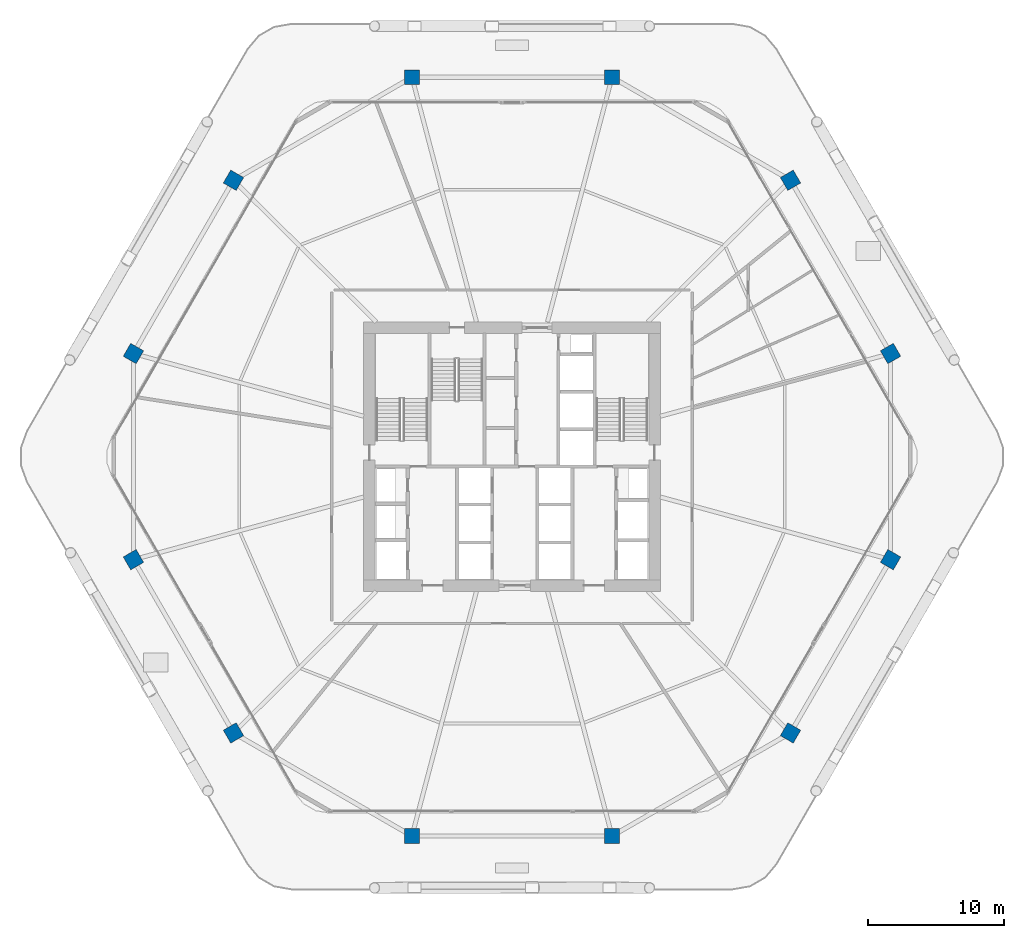
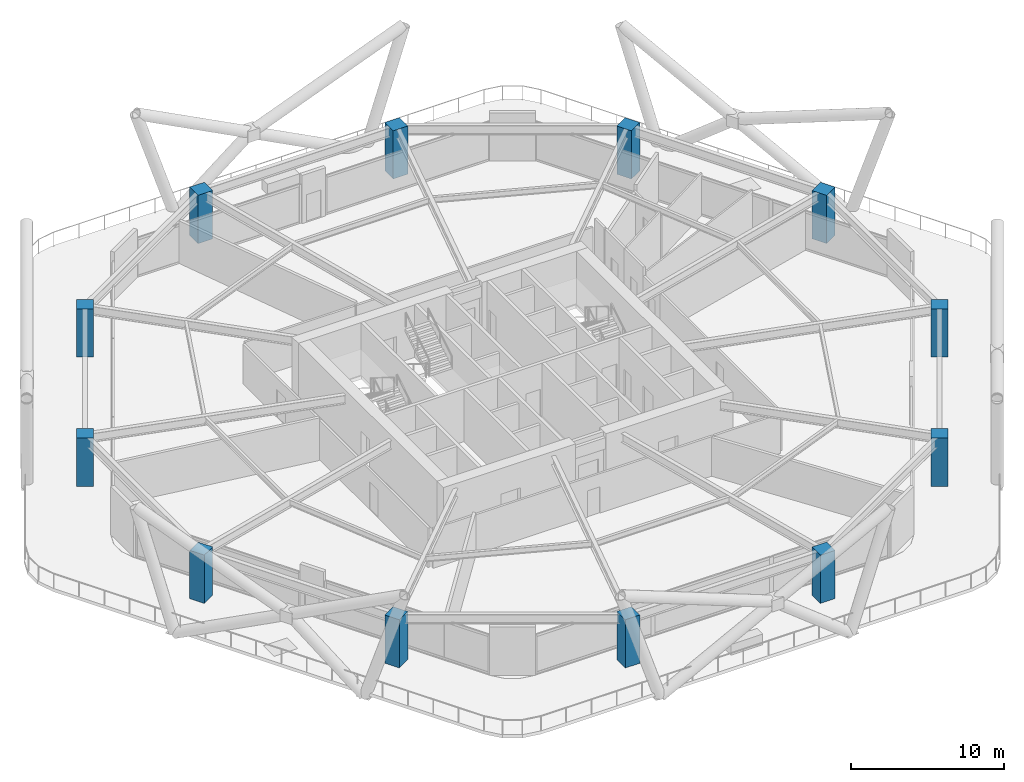
# One storey, part 1 of 28: 12 columns.
"""IFC4 building model written with IfcOpenShell, lengths in metres."""

from ifc_helpers import new_model, si_unit, direction, frame, origin, origin_2d, place, context, subcontext, project, spatial, rectangle, extrude, material, material_profile, profile_set, type_object, element, save


model = new_model("IFC4")

# Units and contexts
model_context = context("Model", 3, precision=1e-05, world=origin(), true_north=direction((0.0, 1.0)))
body_context = subcontext(model_context, "Body", "Model", "MODEL_VIEW")
ifc_project = project(units=[si_unit("LENGTHUNIT", "METRE"), si_unit("AREAUNIT", "SQUARE_METRE"), si_unit("VOLUMEUNIT", "CUBIC_METRE"), si_unit("PLANEANGLEUNIT", "RADIAN"), si_unit("MASSUNIT", "GRAM", prefix="KILO")], contexts=[model_context])

# Site, building, storey
site_placement = place(None, origin())
site = spatial("IfcSite", under=ifc_project, at=site_placement, CompositionType="ELEMENT")
building_placement = place(site_placement, origin())
building = spatial("IfcBuilding", under=site, at=building_placement, Name="Zuhravey Tower", CompositionType="ELEMENT")
storey_placement = place(building_placement, frame((0.0, 0.0, 83.39990234375)))
storey = spatial("IfcBuildingStorey", under=building, at=storey_placement, Name="L20", CompositionType="ELEMENT", Elevation=83.39990234375)

# Columns
ifc_material = material(Name="Concrete C60/75", Category="concrete")
ifc_material_profile = material_profile(ifc_material, rectangle(XDim=1.10009765625, YDim=1.10009765625, at=origin_2d()), Name="RC-1100x1100")
ifc_profile_set = profile_set([ifc_material_profile], Name="Concrete C60/75")
column_type = type_object("IfcColumnType", Name="Zone 1 Upper Column 1100x1100", PredefinedType="COLUMN", material=ifc_profile_set)
for number, where, z_axis, x_axis, name in (
    (1, (63.88916015625, 39.591552734375, 0.0), (0.0, 0.0, 1.0), (-0.5, 0.866025403784, 0.0), "L20 Perimeter Column PC01"),
    (2, (56.51904296875, 52.35693359375, 0.0), (0.0, 0.0, 1.0), (-0.5, 0.866025403784, 0.0), "L20 Perimeter Column PC02"),
    (3, (43.3701171875, 59.948486328125, 0.0), (0.0, 0.0, 1.0), (-1.0, 0.0, 0.0), "L20 Perimeter Column PC03"),
    (4, (28.6298828125, 59.948486328125, 0.0), (0.0, 0.0, 1.0), (-1.0, 0.0, 0.0), "L20 Perimeter Column PC04"),
    (5, (15.48095703125, 52.35693359375, 0.0), (0.0, 0.0, 1.0), (-0.5, -0.866025403784, 0.0), "L20 Perimeter Column PC05"),
    (6, (8.11083984375, 39.591552734375, 0.0), (0.0, 0.0, 1.0), (-0.5, -0.866025403784, 0.0), "L20 Perimeter Column PC06"),
    (7, (8.11083984375, 24.408447265625, 0.0), (0.0, 0.0, 1.0), (0.5, -0.866025403784, 0.0), "L20 Perimeter Column PC07"),
    (8, (15.48095703125, 11.64306640625, 0.0), (0.0, 0.0, 1.0), (0.5, -0.866025403784, 0.0), "L20 Perimeter Column PC08"),
    (9, (28.6298828125, 4.051513671875, 0.0), (0.0, 0.0, 1.0), (1.0, 0.0, 0.0), "L20 Perimeter Column PC09"),
    (10, (43.3701171875, 4.051513671875, 0.0), (0.0, 0.0, 1.0), (1.0, 0.0, 0.0), "L20 Perimeter Column PC10"),
    (11, (56.51904296875, 11.64306640625, 0.0), (0.0, 0.0, 1.0), (0.5, 0.866025403784, 0.0), "L20 Perimeter Column PC11"),
    (12, (63.88916015625, 24.408447265625, 0.0), (0.0, 0.0, 1.0), (0.5, 0.866025403784, 0.0), "L20 Perimeter Column PC12"),
):
    element("IfcColumn", number, at=place(storey_placement, frame(where, z_axis=z_axis, x_axis=x_axis)), inside=storey, type_object=column_type, Name=name, PredefinedType="COLUMN", context=body_context, shape_type="SweptSolid", body=[
        extrude(rectangle(XDim=1.10009765625, YDim=1.10009765625, at=origin_2d()), origin(), (0.0, 0.0, 1.0), 3.85009765625),
    ])

save(model, "model.ifc")
